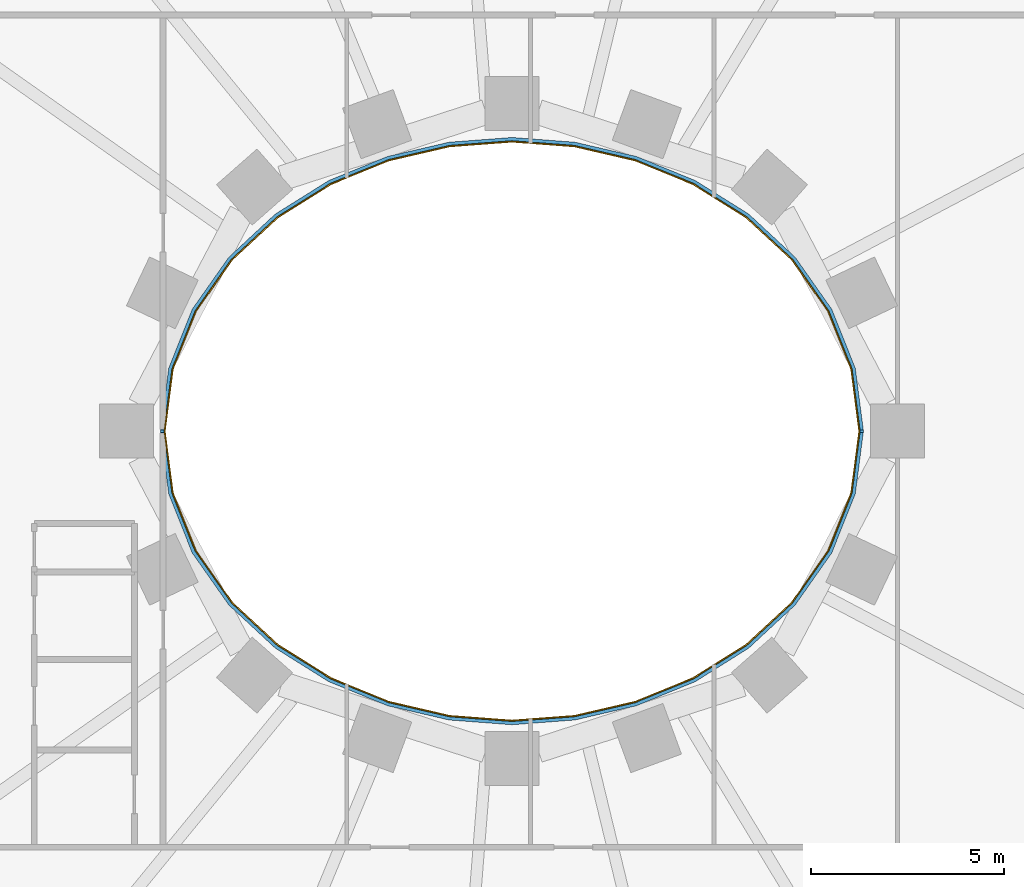
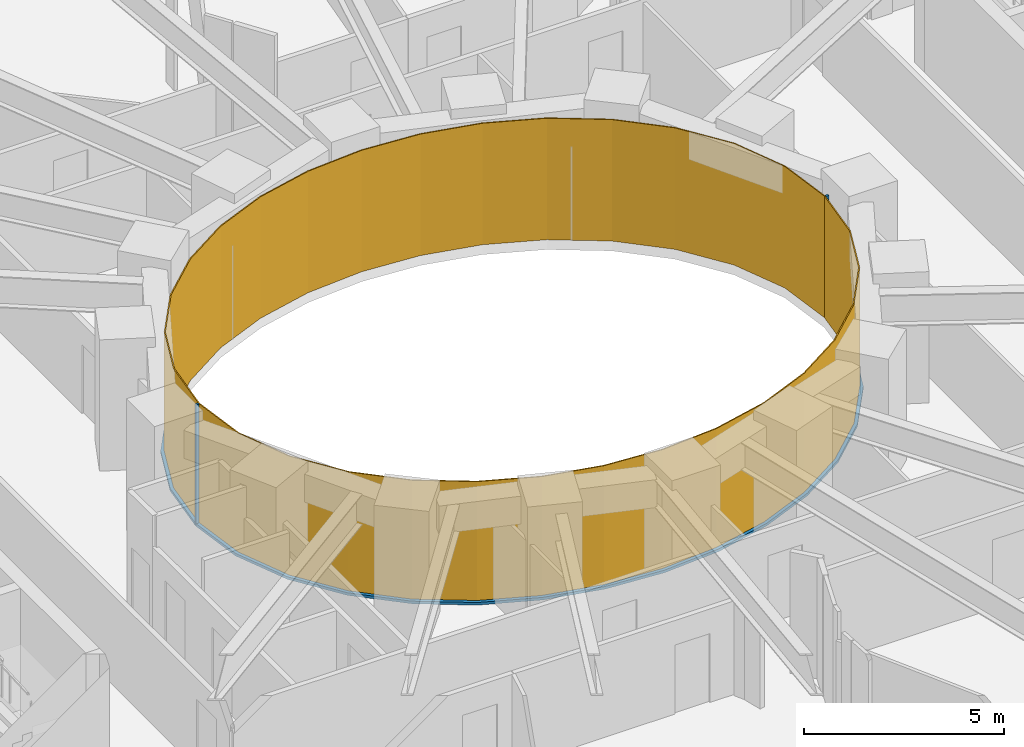
# One storey, part 19 of 30: 4 members, 2 curtain walls.
"""IFC4 building model written with IfcOpenShell, lengths in metres."""

from ifc_helpers import new_model, si_unit, direction, frame, origin, origin_2d, place, context, subcontext, project, spatial, polyline, rectangle, outline, extrude, material, layer, layer_set, material_profile, profile_set, type_object, element, aggregate, save


model = new_model("IFC4")

# Units and contexts
model_context = context("Model", 3, precision=1e-05, world=origin(), true_north=direction((0.0, 1.0)))
body_context = subcontext(model_context, "Body", "Model", "MODEL_VIEW")
ifc_project = project(units=[si_unit("LENGTHUNIT", "METRE"), si_unit("AREAUNIT", "SQUARE_METRE"), si_unit("VOLUMEUNIT", "CUBIC_METRE"), si_unit("PLANEANGLEUNIT", "RADIAN"), si_unit("MASSUNIT", "GRAM", prefix="KILO")], contexts=[model_context])

# Member
ifc_material_1 = material(Name="Steel S355 fire-resisting frame", Category="steel")
ifc_material_profile = material_profile(ifc_material_1, rectangle(XDim=0.090087890625, YDim=0.06005859375, at=origin_2d()), Name="90x60")
ifc_profile_set = profile_set([ifc_material_profile], Name="Steel S355 fire-resisting frame")
member_type_1 = type_object("IfcMemberType", Name="ENV-MULLION-W-90", PredefinedType="MULLION", material=ifc_profile_set)
site_placement = place(None, origin())
building_placement = place(site_placement, origin())
storey_placement = place(building_placement, frame((0.0, 0.0, 30.5)))
member_1_placement = place(storey_placement, frame((9.076904296875, 0.0, 0.0), z_axis=(0.0, 0.0, 1.0), x_axis=(1.0, 0.0, 0.0)))
member_1 = element("IfcMember", 1, at=member_1_placement, type_object=member_type_1, Name="Mullion W well vertex 01", PredefinedType="MULLION", context=body_context, shape_type="SweptSolid", body=[
    extrude(rectangle(XDim=0.090087890625, YDim=0.06005859375, at=origin_2d()), origin(), (0.0, 0.0, 1.0), 3.699951171875),
])

member_2_placement = place(storey_placement, frame((-9.076904296875, 0.0, 0.0), z_axis=(0.0, 0.0, 1.0), x_axis=(-1.0, 0.0, 0.0)))
member_2 = element("IfcMember", 2, at=member_2_placement, type_object=member_type_1, Name="Mullion W well vertex 17", PredefinedType="MULLION", context=body_context, shape_type="SweptSolid", body=[
    extrude(rectangle(XDim=0.090087890625, YDim=0.06005859375, at=origin_2d()), origin(), (0.0, 0.0, 1.0), 3.699951171875),
])

ifc_material_2 = material(Name="Steel S355 fire-resisting frame", Category="steel")
member_type_2 = type_object("IfcMemberType", Name="ENV-TRANSOM-W", PredefinedType="USERDEFINED", material=ifc_material_2)
member_3_placement = place(storey_placement, origin())
member_3 = element("IfcMember", 3, at=member_3_placement, type_object=member_type_2, Name="Transom W well 01-17", ObjectType="TRANSOM", PredefinedType="USERDEFINED", context=body_context, shape_type="SweptSolid", body=[
    extrude(outline(polyline([(9.119384765625, 0.02783203125), (8.910400390625, 1.63623046875), (8.29833984375, 3.167236328125), (7.35107421875, 4.5146484375), (6.1455078125, 5.6337890625), (4.75341796875, 6.50634765625), (3.233642578125, 7.127685546875), (1.635498046875, 7.498779296875), (0.0, 7.622314453125), (-1.635498046875, 7.498779296875), (-3.233642578125, 7.127685546875), (-4.75341796875, 6.50634765625), (-6.1455078125, 5.6337890625), (-7.35107421875, 4.5146484375), (-8.29833984375, 3.167236328125), (-8.910400390625, 1.63623046875), (-9.119384765625, 0.02783203125), (-9.02880859375, 0.02783203125), (-8.822509765625, 1.61328125), (-8.21875, 3.124267578125), (-7.282958984375, 4.455078125), (-6.090576171875, 5.56201171875), (-4.712158203125, 6.426025390625), (-3.206298828125, 7.04150390625), (-1.621826171875, 7.40966796875), (0.0, 7.531982421875), (1.621826171875, 7.40966796875), (3.206298828125, 7.04150390625), (4.712158203125, 6.426025390625), (6.090576171875, 5.56201171875), (7.282958984375, 4.455078125), (8.21875, 3.124267578125), (8.822509765625, 1.61328125), (9.02880859375, 0.02783203125), (9.119384765625, 0.02783203125)])), origin(), (0.0, 0.0, 1.0), 0.080078125),
])

member_4_placement = place(storey_placement, origin())
member_4 = element("IfcMember", 4, at=member_4_placement, type_object=member_type_2, Name="Transom W well 17-01", ObjectType="TRANSOM", PredefinedType="USERDEFINED", context=body_context, shape_type="SweptSolid", body=[
    extrude(outline(polyline([(-9.119384765625, -0.02783203125), (-8.910400390625, -1.63623046875), (-8.29833984375, -3.167236328125), (-7.35107421875, -4.5146484375), (-6.1455078125, -5.6337890625), (-4.75341796875, -6.50634765625), (-3.233642578125, -7.127685546875), (-1.635498046875, -7.498779296875), (0.0, -7.622314453125), (1.635498046875, -7.498779296875), (3.233642578125, -7.127685546875), (4.75341796875, -6.50634765625), (6.1455078125, -5.6337890625), (7.35107421875, -4.5146484375), (8.29833984375, -3.167236328125), (8.910400390625, -1.63623046875), (9.119384765625, -0.02783203125), (9.02880859375, -0.02783203125), (8.822509765625, -1.61328125), (8.21875, -3.124267578125), (7.282958984375, -4.455078125), (6.090576171875, -5.56201171875), (4.712158203125, -6.426025390625), (3.206298828125, -7.04150390625), (1.621826171875, -7.40966796875), (0.0, -7.531982421875), (-1.621826171875, -7.40966796875), (-3.206298828125, -7.04150390625), (-4.712158203125, -6.426025390625), (-6.090576171875, -5.56201171875), (-7.282958984375, -4.455078125), (-8.21875, -3.124267578125), (-8.822509765625, -1.61328125), (-9.02880859375, -0.02783203125), (-9.119384765625, -0.02783203125)])), origin(), (0.0, 0.0, 1.0), 0.080078125),
])

# Site, building, storey
site = spatial("IfcSite", under=ifc_project, at=site_placement, CompositionType="ELEMENT")
building = spatial("IfcBuilding", under=site, at=building_placement, Name="Noorbagh Ring Tower", CompositionType="ELEMENT")
storey = spatial("IfcBuildingStorey", under=building, at=storey_placement, Name="L05", CompositionType="ELEMENT", Elevation=30.5)

# Curtain wall
ifc_material_3 = material(Name="Glass fire-resisting E60 laminated", Category="glass")
ifc_layer = layer(ifc_material_3, 0.031982421875)
ifc_layer_set = layer_set([ifc_layer], Name="Glass fire-resisting E60 laminated")
curtain_wall_type = type_object("IfcCurtainWallType", Name="ENV-CW-W", PredefinedType="NOTDEFINED", material=ifc_layer_set)
curtain_wall_1_placement = place(storey_placement, origin())
curtain_wall_1 = element("IfcCurtainWall", 5, at=curtain_wall_1_placement, inside=storey, type_object=curtain_wall_type, Name="Curtain wall W W01", PredefinedType="NOTDEFINED", context=body_context, shape_type="SweptSolid", body=[
    extrude(outline(polyline([(9.0322265625, 0.0), (8.822509765625, 1.61328125), (8.21875, 3.124267578125), (7.282958984375, 4.455078125), (6.090576171875, 5.56201171875), (4.712158203125, 6.426025390625), (3.206298828125, 7.04150390625), (1.621826171875, 7.40966796875), (0.0, 7.531982421875), (-1.621826171875, 7.40966796875), (-3.206298828125, 7.04150390625), (-4.712158203125, 6.426025390625), (-6.090576171875, 5.56201171875), (-7.282958984375, 4.455078125), (-8.21875, 3.124267578125), (-8.822509765625, 1.61328125), (-9.0322265625, 0.0), (-9.0, 0.0), (-8.79150390625, 1.605224609375), (-8.1904296875, 3.10888671875), (-7.2587890625, 4.43408203125), (-6.071044921875, 5.53662109375), (-4.697509765625, 6.3974609375), (-3.196533203125, 7.010986328125), (-1.6171875, 7.3779296875), (0.0, 7.5), (1.6171875, 7.3779296875), (3.196533203125, 7.010986328125), (4.697509765625, 6.3974609375), (6.071044921875, 5.53662109375), (7.2587890625, 4.43408203125), (8.1904296875, 3.10888671875), (8.79150390625, 1.605224609375), (9.0, 0.0), (9.0322265625, 0.0)])), origin(), (0.0, 0.0, 1.0), 3.699951171875),
])

aggregate(curtain_wall_1, [member_1, member_2, member_3])

curtain_wall_2_placement = place(storey_placement, origin())
curtain_wall_2 = element("IfcCurtainWall", 6, at=curtain_wall_2_placement, inside=storey, type_object=curtain_wall_type, Name="Curtain wall W W17", PredefinedType="NOTDEFINED", context=body_context, shape_type="SweptSolid", body=[
    extrude(outline(polyline([(-9.0322265625, 0.0), (-8.822509765625, -1.61328125), (-8.21875, -3.124267578125), (-7.282958984375, -4.455078125), (-6.090576171875, -5.56201171875), (-4.712158203125, -6.426025390625), (-3.206298828125, -7.04150390625), (-1.621826171875, -7.40966796875), (0.0, -7.531982421875), (1.621826171875, -7.40966796875), (3.206298828125, -7.04150390625), (4.712158203125, -6.426025390625), (6.090576171875, -5.56201171875), (7.282958984375, -4.455078125), (8.21875, -3.124267578125), (8.822509765625, -1.61328125), (9.0322265625, 0.0), (9.0, 0.0), (8.79150390625, -1.605224609375), (8.1904296875, -3.10888671875), (7.2587890625, -4.43408203125), (6.071044921875, -5.53662109375), (4.697509765625, -6.3974609375), (3.196533203125, -7.010986328125), (1.6171875, -7.3779296875), (0.0, -7.5), (-1.6171875, -7.3779296875), (-3.196533203125, -7.010986328125), (-4.697509765625, -6.3974609375), (-6.071044921875, -5.53662109375), (-7.2587890625, -4.43408203125), (-8.1904296875, -3.10888671875), (-8.79150390625, -1.605224609375), (-9.0, 0.0), (-9.0322265625, 0.0)])), origin(), (0.0, 0.0, 1.0), 3.699951171875),
])

aggregate(curtain_wall_2, [member_4])

save(model, "model.ifc")
